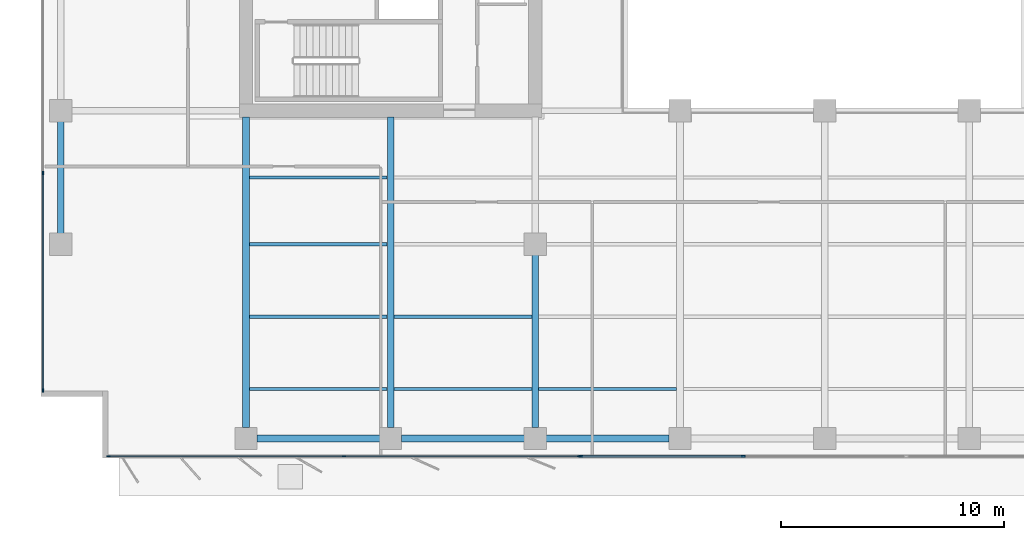
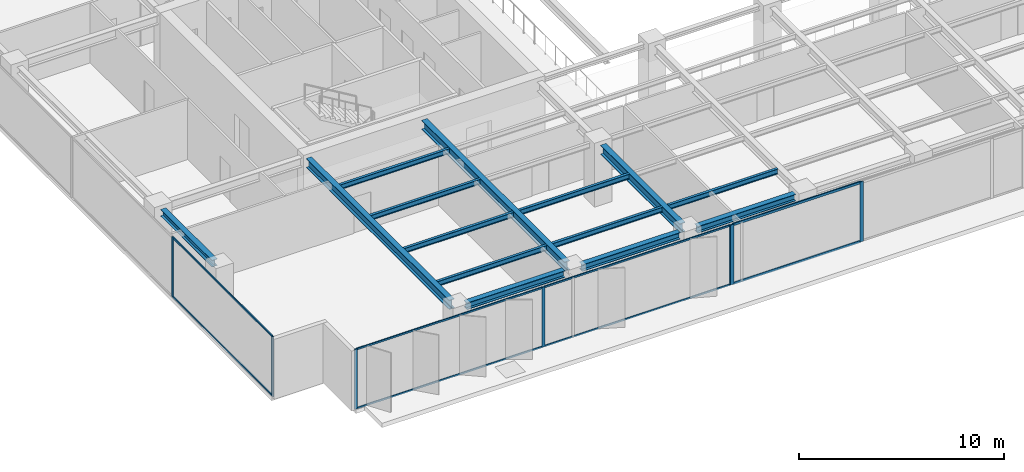
# One storey, part 2 of 22: 15 members, 14 beams, 3 elements without a shape of their own.
"""IFC4 building model written with IfcOpenShell, lengths in metres."""

from ifc_helpers import new_model, si_unit, direction, frame, origin, origin_2d, place, context, subcontext, project, spatial, rectangle, i_section, extrude, material, layer, layer_set, material_profile, profile_set, type_object, element, aggregate, save


model = new_model("IFC4")

# Units and contexts
model_context = context("Model", 3, precision=1e-05, world=origin(), true_north=direction((0.0, 1.0)))
body_context = subcontext(model_context, "Body", "Model", "MODEL_VIEW")
ifc_project = project(units=[si_unit("LENGTHUNIT", "METRE"), si_unit("AREAUNIT", "SQUARE_METRE"), si_unit("VOLUMEUNIT", "CUBIC_METRE"), si_unit("PLANEANGLEUNIT", "RADIAN"), si_unit("MASSUNIT", "GRAM", prefix="KILO")], contexts=[model_context])

# Site, building, storey
site_placement = place(None, origin())
site = spatial("IfcSite", under=ifc_project, at=site_placement, CompositionType="ELEMENT")
building_placement = place(site_placement, origin())
building = spatial("IfcBuilding", under=site, at=building_placement, Name="Putna Gate Headquarters", CompositionType="ELEMENT")
storey_placement = place(building_placement, frame((0.0, 0.0, 144.199951171875)))
storey = spatial("IfcBuildingStorey", under=building, at=storey_placement, Name="L35", CompositionType="ELEMENT", Elevation=144.199951171875)

# Beams
ifc_material_1 = material(Name="Steel S355J2", Category="steel")
ifc_material_profile_1 = material_profile(ifc_material_1, i_section(OverallWidth=0.300048828125, OverallDepth=0.550048828125, WebThickness=0.014892578125, FlangeThickness=0.029052734375, at=origin_2d()), Name="Steel S355J2")
ifc_profile_set_1 = profile_set([ifc_material_profile_1], Name="Steel S355J2")
beam_type_1 = type_object("IfcBeamType", Name="BM-GIRD-Z3-HEB550", PredefinedType="USERDEFINED", material=ifc_profile_set_1)
for number, where, z_axis, x_axis, name in (
    (1, (13.0, 4.76806640625, 3.297119140625), (0.0, 1.0, 0.0), (-1.0, 0.0, 0.0), "L35 South Primary Girder X13"),
    (2, (19.5, 4.76806640625, 3.297119140625), (0.0, 1.0, 0.0), (-1.0, 0.0, 0.0), "L35 South Primary Girder X19"),
):
    element("IfcBeam", number, at=place(storey_placement, frame(where, z_axis=z_axis, x_axis=x_axis)), inside=storey, type_object=beam_type_1, Name=name, ObjectType="GIRDER", PredefinedType="USERDEFINED", context=body_context, shape_type="SweptSolid", body=[
        extrude(i_section(OverallWidth=0.300048828125, OverallDepth=0.550048828125, WebThickness=0.014892578125, FlangeThickness=0.029052734375, at=origin_2d()), origin(), (0.0, 0.0, 1.0), 13.947021484375),
    ])
beam_1_placement = place(storey_placement, frame((26.0, 4.76806640625, 3.297119140625), z_axis=(0.0, 1.0, 0.0), x_axis=(-1.0, 0.0, 0.0)))
element("IfcBeam", 3, at=beam_1_placement, inside=storey, type_object=beam_type_1, Name="L35 South Primary Girder X26-1", ObjectType="GIRDER", PredefinedType="USERDEFINED", context=body_context, shape_type="SweptSolid", body=[
    extrude(i_section(OverallWidth=0.300048828125, OverallDepth=0.550048828125, WebThickness=0.014892578125, FlangeThickness=0.029052734375, at=origin_2d()), origin(), (0.0, 0.0, 1.0), 7.743896484375),
])
ifc_material_profile_2 = material_profile(ifc_material_1, i_section(OverallWidth=0.14990234375, OverallDepth=0.300048828125, WebThickness=0.007080078125, FlangeThickness=0.0107421875, at=origin_2d()), Name="Steel S355J2")
ifc_profile_set_2 = profile_set([ifc_material_profile_2], Name="Steel S355J2")
beam_type_2 = type_object("IfcBeamType", Name="BM-SEC-Z3-IPE300", PredefinedType="JOIST", material=ifc_profile_set_2)
for number, where, z_axis, x_axis, name in (
    (4, (13.154052734375, 6.5, 3.422119140625), (1.0, 0.0, 0.0), (0.0, 1.0, 0.0), "L35 South Secondary Beam 1"),
    (5, (13.154052734375, 9.75, 3.422119140625), (1.0, 0.0, 0.0), (0.0, 1.0, 0.0), "L35 South Secondary Beam 1"),
    (6, (13.154052734375, 13.0, 3.422119140625), (1.0, 0.0, 0.0), (0.0, 1.0, 0.0), "L35 South Secondary Beam 1"),
    (7, (13.154052734375, 16.0, 3.422119140625), (1.0, 0.0, 0.0), (0.0, 1.0, 0.0), "L35 South Secondary Beam 1"),
    (8, (19.654052734375, 6.5, 3.422119140625), (1.0, 0.0, 0.0), (0.0, 1.0, 0.0), "L35 South Secondary Beam 2"),
    (9, (19.654052734375, 9.75, 3.422119140625), (1.0, 0.0, 0.0), (0.0, 1.0, 0.0), "L35 South Secondary Beam 2"),
    (10, (26.154052734375, 6.5, 3.422119140625), (1.0, 0.0, 0.0), (0.0, 1.0, 0.0), "L35 South Secondary Beam 3"),
):
    element("IfcBeam", number, at=place(storey_placement, frame(where, z_axis=z_axis, x_axis=x_axis)), inside=storey, type_object=beam_type_2, Name=name, PredefinedType="JOIST", context=body_context, shape_type="SweptSolid", body=[
        extrude(i_section(OverallWidth=0.14990234375, OverallDepth=0.300048828125, WebThickness=0.007080078125, FlangeThickness=0.0107421875, at=origin_2d()), origin(), (0.0, 0.0, 1.0), 6.19189453125),
    ])
ifc_material_profile_3 = material_profile(ifc_material_1, i_section(OverallWidth=0.300048828125, OverallDepth=0.39990234375, WebThickness=0.013427734375, FlangeThickness=0.02392578125, at=origin_2d()), Name="Steel S355J2")
ifc_profile_set_3 = profile_set([ifc_material_profile_3], Name="Steel S355J2")
beam_type_3 = type_object("IfcBeamType", Name="BM-SPAN-Z3-HEB400", PredefinedType="SPANDREL", material=ifc_profile_set_3)
for number, where, z_axis, x_axis, name in (
    (11, (13.488037109375, 4.280029296875, 3.3720703125), (1.0, 0.0, 0.0), (0.0, 1.0, 0.0), "L35 S Perimeter Spandrel 1"),
    (12, (19.988037109375, 4.280029296875, 3.3720703125), (1.0, 0.0, 0.0), (0.0, 1.0, 0.0), "L35 S Perimeter Spandrel 2"),
    (13, (26.488037109375, 4.280029296875, 3.3720703125), (1.0, 0.0, 0.0), (0.0, 1.0, 0.0), "L35 S Perimeter Spandrel 3"),
):
    element("IfcBeam", number, at=place(storey_placement, frame(where, z_axis=z_axis, x_axis=x_axis)), inside=storey, type_object=beam_type_3, Name=name, PredefinedType="SPANDREL", context=body_context, shape_type="SweptSolid", body=[
        extrude(i_section(OverallWidth=0.300048828125, OverallDepth=0.39990234375, WebThickness=0.013427734375, FlangeThickness=0.02392578125, at=origin_2d()), origin(), (0.0, 0.0, 1.0), 5.52392578125),
    ])
beam_2_placement = place(storey_placement, frame((4.679931640625, 13.488037109375, 3.3720703125), z_axis=(0.0, 1.0, 0.0), x_axis=(-1.0, 0.0, 0.0)))
element("IfcBeam", 14, at=beam_2_placement, inside=storey, type_object=beam_type_3, Name="L35 W End Spandrel 1", PredefinedType="SPANDREL", context=body_context, shape_type="SweptSolid", body=[
    extrude(i_section(OverallWidth=0.300048828125, OverallDepth=0.39990234375, WebThickness=0.013427734375, FlangeThickness=0.02392578125, at=origin_2d()), origin(), (0.0, 0.0, 1.0), 5.02392578125),
])

# Curtain wall, members
ifc_material_2 = material(Name="Anodised bronze aluminium curtain wall", Category="aluminium")
ifc_layer_1 = layer(ifc_material_2, 0.159912109375)
ifc_layer_set_1 = layer_set([ifc_layer_1], Name="Anodised bronze aluminium curtain wall")
curtain_wall_type_1 = type_object("IfcCurtainWallType", Name="CW-SYS-Z3", PredefinedType="USERDEFINED", material=ifc_layer_set_1)
curtain_wall_1_placement = place(storey_placement, origin())
curtain_wall_1 = element("IfcCurtainWall", 15, at=curtain_wall_1_placement, inside=storey, type_object=curtain_wall_type_1, Name="L35 South West Curtain Wall", ObjectType="STICK CURTAIN WALL", PredefinedType="USERDEFINED")
ifc_material_3 = material(Name="Anodised bronze aluminium EN AW-6060", Category="aluminium")
ifc_material_profile_4 = material_profile(ifc_material_3, rectangle(XDim=0.06494140625, YDim=0.159912109375, at=origin_2d()), Name="Anodised bronze aluminium EN AW-6060")
ifc_profile_set_4 = profile_set([ifc_material_profile_4], Name="Anodised bronze aluminium EN AW-6060")
member_type_1 = type_object("IfcMemberType", Name="MULL-CWM-3", PredefinedType="MULLION", material=ifc_profile_set_4)
member_1_placement = place(storey_placement, frame((6.83251953125, 3.47998046875, 0.0), z_axis=(0.0, 0.0, 1.0), x_axis=(0.0, 1.0, 0.0)))
member_1 = element("IfcMember", 16, at=member_1_placement, type_object=member_type_1, Name="CWS-3 mullion 1", PredefinedType="MULLION", context=body_context, shape_type="SweptSolid", body=[
    extrude(rectangle(XDim=0.06494140625, YDim=0.159912109375, at=origin_2d()), origin(), (0.0, 0.0, 1.0), 3.572021484375),
])
member_2_placement = place(storey_placement, frame((17.39990234375, 3.47998046875, 0.0), z_axis=(0.0, 0.0, 1.0), x_axis=(0.0, 1.0, 0.0)))
member_2 = element("IfcMember", 17, at=member_2_placement, type_object=member_type_1, Name="CWS-3 mullion 2", PredefinedType="MULLION", context=body_context, shape_type="SweptSolid", body=[
    extrude(rectangle(XDim=0.06494140625, YDim=0.159912109375, at=origin_2d()), origin(), (0.0, 0.0, 1.0), 3.572021484375),
])
member_3_placement = place(storey_placement, frame((27.967529296875, 3.47998046875, 0.0), z_axis=(0.0, 0.0, 1.0), x_axis=(0.0, 1.0, 0.0)))
member_3 = element("IfcMember", 18, at=member_3_placement, type_object=member_type_1, Name="CWS-3 mullion 3", PredefinedType="MULLION", context=body_context, shape_type="SweptSolid", body=[
    extrude(rectangle(XDim=0.06494140625, YDim=0.159912109375, at=origin_2d()), origin(), (0.0, 0.0, 1.0), 3.572021484375),
])

curtain_wall_2_placement = place(storey_placement, origin())
curtain_wall_2 = element("IfcCurtainWall", 19, at=curtain_wall_2_placement, inside=storey, type_object=curtain_wall_type_1, Name="L35 West Curtain Wall", ObjectType="STICK CURTAIN WALL", PredefinedType="USERDEFINED")
member_4_placement = place(storey_placement, frame((3.8798828125, 6.4326171875, 0.0), z_axis=(0.0, 0.0, 1.0), x_axis=(-1.0, 0.0, 0.0)))
member_4 = element("IfcMember", 20, at=member_4_placement, type_object=member_type_1, Name="CWS-3 mullion 1", PredefinedType="MULLION", context=body_context, shape_type="SweptSolid", body=[
    extrude(rectangle(XDim=0.06494140625, YDim=0.159912109375, at=origin_2d()), origin(), (0.0, 0.0, 1.0), 3.572021484375),
])
member_5_placement = place(storey_placement, frame((3.8798828125, 16.199951171875, 0.0), z_axis=(0.0, 0.0, 1.0), x_axis=(-1.0, 0.0, 0.0)))
member_5 = element("IfcMember", 21, at=member_5_placement, type_object=member_type_1, Name="CWS-3 mullion 2", PredefinedType="MULLION", context=body_context, shape_type="SweptSolid", body=[
    extrude(rectangle(XDim=0.06494140625, YDim=0.159912109375, at=origin_2d()), origin(), (0.0, 0.0, 1.0), 3.572021484375),
])

ifc_layer_2 = layer(ifc_material_2, 0.179931640625)
ifc_layer_set_2 = layer_set([ifc_layer_2], Name="Anodised bronze aluminium curtain wall")
curtain_wall_type_2 = type_object("IfcCurtainWallType", Name="CW-SYS-ATR", PredefinedType="USERDEFINED", material=ifc_layer_set_2)
curtain_wall_3_placement = place(storey_placement, origin())
curtain_wall_3 = element("IfcCurtainWall", 22, at=curtain_wall_3_placement, inside=storey, type_object=curtain_wall_type_2, Name="L35 South Atrium Clear Glazing", ObjectType="ATRIUM GLAZING", PredefinedType="USERDEFINED")
ifc_material_profile_5 = material_profile(ifc_material_3, rectangle(XDim=0.070068359375, YDim=0.179931640625, at=origin_2d()), Name="Anodised bronze aluminium EN AW-6060")
ifc_profile_set_5 = profile_set([ifc_material_profile_5], Name="Anodised bronze aluminium EN AW-6060")
member_type_2 = type_object("IfcMemberType", Name="MULL-CWM-AT", PredefinedType="MULLION", material=ifc_profile_set_5)
member_6_placement = place(storey_placement, frame((28.034912109375, 3.47998046875, 0.0), z_axis=(0.0, 0.0, 1.0), x_axis=(0.0, 1.0, 0.0)))
member_6 = element("IfcMember", 23, at=member_6_placement, type_object=member_type_2, Name="CWS-AT mullion 1", PredefinedType="MULLION", context=body_context, shape_type="SweptSolid", body=[
    extrude(rectangle(XDim=0.070068359375, YDim=0.179931640625, at=origin_2d()), origin(), (0.0, 0.0, 1.0), 3.572021484375),
])
member_7_placement = place(storey_placement, frame((35.333251953125, 3.47998046875, 0.0), z_axis=(0.0, 0.0, 1.0), x_axis=(0.0, 1.0, 0.0)))
member_7 = element("IfcMember", 24, at=member_7_placement, type_object=member_type_2, Name="CWS-AT mullion 2", PredefinedType="MULLION", context=body_context, shape_type="SweptSolid", body=[
    extrude(rectangle(XDim=0.070068359375, YDim=0.179931640625, at=origin_2d()), origin(), (0.0, 0.0, 1.0), 3.572021484375),
])

# Member
ifc_material_profile_6 = material_profile(ifc_material_3, rectangle(XDim=0.06005859375, YDim=0.10009765625, at=origin_2d()), Name="Anodised bronze aluminium EN AW-6060")
ifc_profile_set_6 = profile_set([ifc_material_profile_6], Name="Anodised bronze aluminium EN AW-6060")
member_type_3 = type_object("IfcMemberType", Name="TRAN-CWT-3", PredefinedType="USERDEFINED", material=ifc_profile_set_6)
member_8_placement = place(storey_placement, frame((6.864990234375, 3.47998046875, 0.030029296875), z_axis=(1.0, 0.0, 0.0), x_axis=(0.0, 1.0, 0.0)))
member_8 = element("IfcMember", 25, at=member_8_placement, type_object=member_type_3, Name="CWS-3 transom 1.1", ObjectType="TRANSOM", PredefinedType="USERDEFINED", context=body_context, shape_type="SweptSolid", body=[
    extrude(rectangle(XDim=0.06005859375, YDim=0.10009765625, at=origin_2d()), origin(), (0.0, 0.0, 1.0), 10.50244140625),
])

member_9_placement = place(storey_placement, frame((6.864990234375, 3.47998046875, 3.5419921875), z_axis=(1.0, 0.0, 0.0), x_axis=(0.0, 1.0, 0.0)))
member_9 = element("IfcMember", 26, at=member_9_placement, type_object=member_type_3, Name="CWS-3 transom 1.2", ObjectType="TRANSOM", PredefinedType="USERDEFINED", context=body_context, shape_type="SweptSolid", body=[
    extrude(rectangle(XDim=0.06005859375, YDim=0.10009765625, at=origin_2d()), origin(), (0.0, 0.0, 1.0), 10.50244140625),
])

member_10_placement = place(storey_placement, frame((17.4326171875, 3.47998046875, 0.030029296875), z_axis=(1.0, 0.0, 0.0), x_axis=(0.0, 1.0, 0.0)))
member_10 = element("IfcMember", 27, at=member_10_placement, type_object=member_type_3, Name="CWS-3 transom 2.1", ObjectType="TRANSOM", PredefinedType="USERDEFINED", context=body_context, shape_type="SweptSolid", body=[
    extrude(rectangle(XDim=0.06005859375, YDim=0.10009765625, at=origin_2d()), origin(), (0.0, 0.0, 1.0), 10.50244140625),
])

member_11_placement = place(storey_placement, frame((17.4326171875, 3.47998046875, 3.5419921875), z_axis=(1.0, 0.0, 0.0), x_axis=(0.0, 1.0, 0.0)))
member_11 = element("IfcMember", 28, at=member_11_placement, type_object=member_type_3, Name="CWS-3 transom 2.2", ObjectType="TRANSOM", PredefinedType="USERDEFINED", context=body_context, shape_type="SweptSolid", body=[
    extrude(rectangle(XDim=0.06005859375, YDim=0.10009765625, at=origin_2d()), origin(), (0.0, 0.0, 1.0), 10.50244140625),
])

aggregate(curtain_wall_1, [member_1, member_2, member_3, member_8, member_9, member_10, member_11])

member_12_placement = place(storey_placement, frame((3.8798828125, 6.465087890625, 0.030029296875), z_axis=(0.0, 1.0, 0.0), x_axis=(-1.0, 0.0, 0.0)))
member_12 = element("IfcMember", 29, at=member_12_placement, type_object=member_type_3, Name="CWS-3 transom 1.1", ObjectType="TRANSOM", PredefinedType="USERDEFINED", context=body_context, shape_type="SweptSolid", body=[
    extrude(rectangle(XDim=0.06005859375, YDim=0.10009765625, at=origin_2d()), origin(), (0.0, 0.0, 1.0), 9.702392578125),
])

member_13_placement = place(storey_placement, frame((3.8798828125, 6.465087890625, 3.5419921875), z_axis=(0.0, 1.0, 0.0), x_axis=(-1.0, 0.0, 0.0)))
member_13 = element("IfcMember", 30, at=member_13_placement, type_object=member_type_3, Name="CWS-3 transom 1.2", ObjectType="TRANSOM", PredefinedType="USERDEFINED", context=body_context, shape_type="SweptSolid", body=[
    extrude(rectangle(XDim=0.06005859375, YDim=0.10009765625, at=origin_2d()), origin(), (0.0, 0.0, 1.0), 9.702392578125),
])

aggregate(curtain_wall_2, [member_4, member_5, member_12, member_13])

ifc_material_profile_7 = material_profile(ifc_material_3, rectangle(XDim=0.070068359375, YDim=0.139892578125, at=origin_2d()), Name="Anodised bronze aluminium EN AW-6060")
ifc_profile_set_7 = profile_set([ifc_material_profile_7], Name="Anodised bronze aluminium EN AW-6060")
member_type_4 = type_object("IfcMemberType", Name="TRAN-CWT-AT", PredefinedType="USERDEFINED", material=ifc_profile_set_7)
member_14_placement = place(storey_placement, frame((28.070068359375, 3.47998046875, 0.03515625), z_axis=(1.0, 0.0, 0.0), x_axis=(0.0, 1.0, 0.0)))
member_14 = element("IfcMember", 31, at=member_14_placement, type_object=member_type_4, Name="CWS-AT transom 1.1", ObjectType="TRANSOM", PredefinedType="USERDEFINED", context=body_context, shape_type="SweptSolid", body=[
    extrude(rectangle(XDim=0.070068359375, YDim=0.139892578125, at=origin_2d()), origin(), (0.0, 0.0, 1.0), 7.228271484375),
])

member_15_placement = place(storey_placement, frame((28.070068359375, 3.47998046875, 3.537109375), z_axis=(1.0, 0.0, 0.0), x_axis=(0.0, 1.0, 0.0)))
member_15 = element("IfcMember", 32, at=member_15_placement, type_object=member_type_4, Name="CWS-AT transom 1.2", ObjectType="TRANSOM", PredefinedType="USERDEFINED", context=body_context, shape_type="SweptSolid", body=[
    extrude(rectangle(XDim=0.070068359375, YDim=0.139892578125, at=origin_2d()), origin(), (0.0, 0.0, 1.0), 7.228271484375),
])

aggregate(curtain_wall_3, [member_6, member_7, member_14, member_15])

save(model, "model.ifc")
